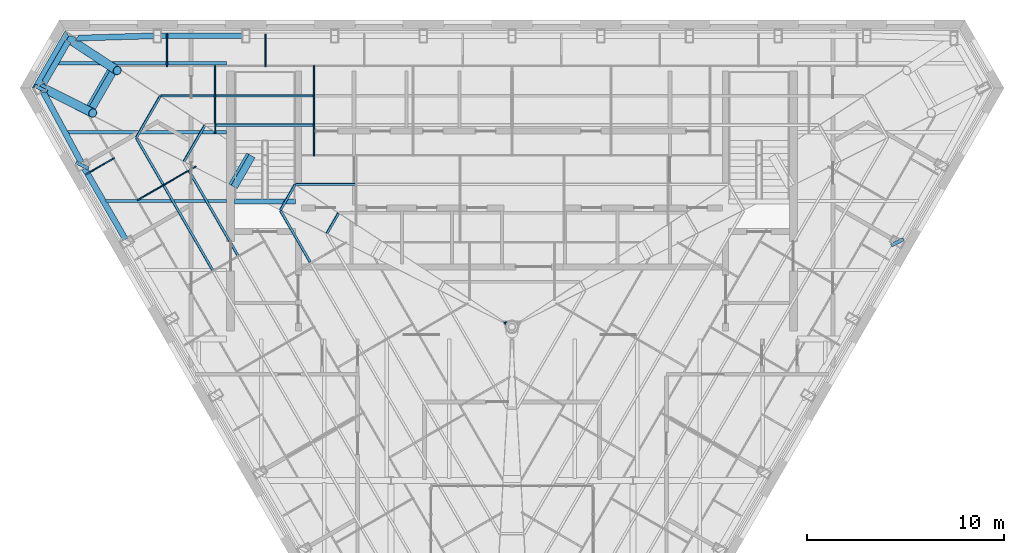
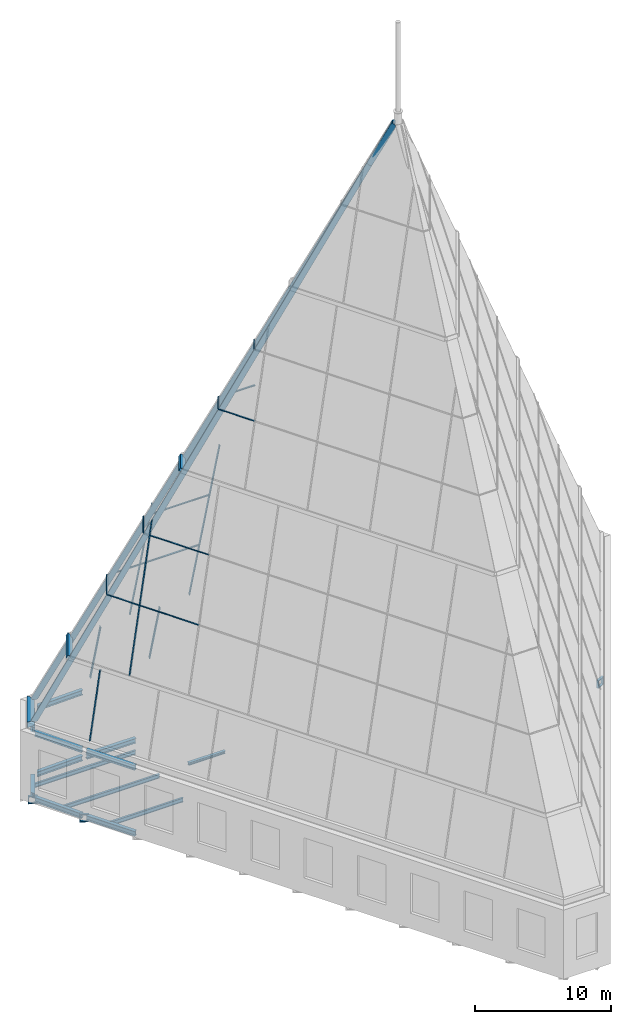
# One storey, part 21 of 36: 25 members, 16 beams, 8 elements without a shape of their own.
"""IFC4 building model written with IfcOpenShell, lengths in metres."""

from ifc_helpers import new_model, si_unit, direction, frame, origin, origin_2d, place, context, subcontext, project, spatial, rectangle, hollow_rectangle, hollow_circle, i_section, extrude, clip, halfspace, material, layer, layer_set, material_profile, profile_set, type_object, element, aggregate, save


model = new_model("IFC4")

# Units and contexts
model_context = context("Model", 3, precision=1e-05, world=origin(), true_north=direction((0.0, 1.0)))
body_context = subcontext(model_context, "Body", "Model", "MODEL_VIEW")
ifc_project = project(units=[si_unit("LENGTHUNIT", "METRE"), si_unit("AREAUNIT", "SQUARE_METRE"), si_unit("VOLUMEUNIT", "CUBIC_METRE"), si_unit("PLANEANGLEUNIT", "RADIAN"), si_unit("MASSUNIT", "GRAM", prefix="KILO")], contexts=[model_context])

# Site, building, storey
site_placement = place(None, origin())
site = spatial("IfcSite", under=ifc_project, at=site_placement, CompositionType="ELEMENT")
building_placement = place(site_placement, origin())
building = spatial("IfcBuilding", under=site, at=building_placement, Name="Njiva Tower", CompositionType="ELEMENT")
storey_placement = place(building_placement, frame((0.0, 0.0, 337.8)))
storey = spatial("IfcBuildingStorey", under=building, at=storey_placement, Name="L77", CompositionType="ELEMENT", Elevation=337.8)

# Beams
ifc_material_1 = material(Name="Steel S355 J2", Category="steel")
ifc_material_profile_1 = material_profile(ifc_material_1, hollow_rectangle(XDim=0.7, YDim=0.7, WallThickness=0.08, at=origin_2d()), Name="BOX 700x700x80")
ifc_profile_set_1 = profile_set([ifc_material_profile_1], Name="Steel S355 J2")
beam_type_1 = type_object("IfcBeamType", Name="B19 Column jog beam BOX 700x700x80", PredefinedType="BEAM", material=ifc_profile_set_1)
beam_1_placement = place(storey_placement, frame((-23.974, 16.63, -0.55), z_axis=(0.433646281728, 0.90108318281, 0.0), x_axis=(-0.90108318281, 0.433646281728, 0.0)))
element("IfcBeam", 1, at=beam_1_placement, inside=storey, type_object=beam_type_1, Name="Column jog beam CR-B013", PredefinedType="BEAM", context=body_context, shape_type="SweptSolid", body=[
    extrude(hollow_rectangle(XDim=0.7, YDim=0.7, WallThickness=0.08, at=origin_2d()), origin(), (0.0, 0.0, 1.0), 0.1776),
])
for number, where, z_axis, x_axis, name in (
    (2, (-21.875, 12.728, -0.55), (0.454010794093, 0.890996183408, 0.0), (-0.890996183408, 0.454010794093, 0.0), "Column jog beam CR-B014"),
    (3, (19.623, 8.825, -0.55), (-0.465278652081, 0.885164264935, 0.0), (-0.885164264935, -0.465278652081, 0.0), "Column jog beam CR-B032"),
):
    element("IfcBeam", number, at=place(storey_placement, frame(where, z_axis=z_axis, x_axis=x_axis)), inside=storey, type_object=beam_type_1, Name=name, PredefinedType="BEAM", context=body_context, shape_type="SweptSolid", body=[
        extrude(hollow_rectangle(XDim=0.7, YDim=0.7, WallThickness=0.08, at=origin_2d()), origin(), (0.0, 0.0, 1.0), 0.1762),
    ])
ifc_material_profile_2 = material_profile(ifc_material_1, i_section(OverallWidth=0.3, OverallDepth=0.44, WebThickness=0.0115, FlangeThickness=0.021, at=origin_2d()), Name="HEA 450")
ifc_profile_set_2 = profile_set([ifc_material_profile_2], Name="Steel S355 J2")
beam_type_2 = type_object("IfcBeamType", Name="B57 Short-span spandrel beam HEA 450", PredefinedType="SPANDREL", material=ifc_profile_set_2)
beam_2_placement = place(storey_placement, frame((-13.695, 19.4, -0.42), z_axis=(-1.0, 0.0, 0.0), x_axis=(0.0, -1.0, 0.0)))
element("IfcBeam", 4, at=beam_2_placement, inside=storey, type_object=beam_type_2, Name="Short-span spandrel beam CR-B092", PredefinedType="SPANDREL", context=body_context, shape_type="SweptSolid", body=[
    extrude(i_section(OverallWidth=0.3, OverallDepth=0.44, WebThickness=0.0115, FlangeThickness=0.021, at=origin_2d()), origin(), (0.0, 0.0, 1.0), 4.156),
])
beam_3_placement = place(storey_placement, frame((-18.205, 19.395, -0.42), z_axis=(-0.999549842252, -0.030001880847, 0.0), x_axis=(0.030001880847, -0.999549842252, 0.0)))
element("IfcBeam", 5, at=beam_3_placement, inside=storey, type_object=beam_type_2, Name="Short-span spandrel beam CR-B089", PredefinedType="SPANDREL", context=body_context, shape_type="Clipping", body=[
    clip(extrude(i_section(OverallWidth=0.3, OverallDepth=0.44, WebThickness=0.0115, FlangeThickness=0.021, at=origin_2d()), origin(), (0.0, 0.0, 1.0), 4.0128), halfspace(frame((-0.0259, 0.0, 3.884), z_axis=(-0.525755357257, 0.0, 0.850635823555), x_axis=(0.0, 1.0, 0.0)), False)),
])
beam_4_placement = place(storey_placement, frame((-22.547, 19.118, -0.42), z_axis=(-0.500074377092, -0.865982457891, 0.0), x_axis=(0.865982457891, -0.500074377092, 0.0)))
element("IfcBeam", 6, at=beam_4_placement, inside=storey, type_object=beam_type_2, Name="Short-span spandrel beam CR-B088", PredefinedType="SPANDREL", context=body_context, shape_type="Clipping", body=[
    clip(extrude(i_section(OverallWidth=0.3, OverallDepth=0.44, WebThickness=0.0115, FlangeThickness=0.021, at=origin_2d()), origin(), (0.0, 0.0, 1.0), 2.5666), halfspace(frame((-0.025, 0.0, 2.4453), z_axis=(-0.499927609529, 0.0, 0.866067194409), x_axis=(0.0, 1.0, 0.0)), False)),
])
beam_5_placement = place(storey_placement, frame((-23.823, 16.55, -0.42), z_axis=(0.473909553759, -0.880573526093, 0.0), x_axis=(0.880573526093, 0.473909553759, 0.0)))
element("IfcBeam", 7, at=beam_5_placement, inside=storey, type_object=beam_type_2, Name="Short-span spandrel beam CR-B087", PredefinedType="SPANDREL", context=body_context, shape_type="SweptSolid", body=[
    extrude(i_section(OverallWidth=0.3, OverallDepth=0.44, WebThickness=0.0115, FlangeThickness=0.021, at=origin_2d()), origin(), (0.0, 0.0, 1.0), 4.0746),
])
beam_6_placement = place(storey_placement, frame((-21.719, 12.653, -0.42), z_axis=(0.500021003115, -0.866013277291, 0.0), x_axis=(0.866013277291, 0.500021003115, 0.0)))
element("IfcBeam", 8, at=beam_6_placement, inside=storey, type_object=beam_type_2, Name="Short-span spandrel beam CR-B090", PredefinedType="SPANDREL", context=body_context, shape_type="SweptSolid", body=[
    extrude(i_section(OverallWidth=0.3, OverallDepth=0.44, WebThickness=0.0115, FlangeThickness=0.021, at=origin_2d()), origin(), (0.0, 0.0, 1.0), 4.1558),
])
ifc_material_profile_3 = material_profile(ifc_material_1, i_section(OverallWidth=0.17, OverallDepth=0.36, WebThickness=0.008, FlangeThickness=0.0127, at=origin_2d()), Name="IPE 360")
ifc_profile_set_3 = profile_set([ifc_material_profile_3], Name="Steel S355 J2")
beam_type_3 = type_object("IfcBeamType", Name="B61 Floor beam to the core IPE 360", PredefinedType="BEAM", material=ifc_profile_set_3)
beam_7_placement = place(storey_placement, frame((-20.718, 11.0, -0.38), z_axis=(1.0, 0.0, 0.0), x_axis=(0.0, 1.0, 0.0)))
element("IfcBeam", 9, at=beam_7_placement, inside=storey, type_object=beam_type_3, Name="Floor beam to the core CR-B003", PredefinedType="BEAM", context=body_context, shape_type="Clipping", body=[
    clip(extrude(i_section(OverallWidth=0.17, OverallDepth=0.36, WebThickness=0.008, FlangeThickness=0.0127, at=origin_2d()), origin(), (0.0, 0.0, 1.0), 6.218), halfspace(frame((-0.025, 0.0, 0.0833), z_axis=(-0.499998009787, 0.0, -0.866026552831), x_axis=(0.0, -1.0, 0.0)), False)),
])
beam_8_placement = place(storey_placement, frame((-22.672, 14.5, -0.38), z_axis=(1.0, 0.0, 0.0), x_axis=(0.0, 1.0, 0.0)))
element("IfcBeam", 10, at=beam_8_placement, inside=storey, type_object=beam_type_3, Name="Floor beam to the core CR-B002", PredefinedType="BEAM", context=body_context, shape_type="Clipping", body=[
    clip(extrude(i_section(OverallWidth=0.17, OverallDepth=0.36, WebThickness=0.008, FlangeThickness=0.0127, at=origin_2d()), origin(), (0.0, 0.0, 1.0), 8.172), halfspace(frame((-0.0237, 0.0, 0.0786), z_axis=(-0.473769423091, 0.0, -0.880648927634), x_axis=(0.0, -1.0, 0.0)), False)),
])
beam_9_placement = place(storey_placement, frame((-23.146, 18.0, -0.38), z_axis=(1.0, 0.0, 0.0), x_axis=(0.0, 1.0, 0.0)))
element("IfcBeam", 11, at=beam_9_placement, inside=storey, type_object=beam_type_3, Name="Floor beam to the core CR-B001", PredefinedType="BEAM", context=body_context, shape_type="Clipping", body=[
    clip(extrude(i_section(OverallWidth=0.17, OverallDepth=0.36, WebThickness=0.008, FlangeThickness=0.0127, at=origin_2d()), origin(), (0.0, 0.0, 1.0), 8.646), halfspace(frame((0.025, 0.0, 0.0832), z_axis=(0.499998009787, 0.0, -0.866026552831), x_axis=(0.0, -1.0, 0.0)), False)),
])
ifc_material_profile_4 = material_profile(ifc_material_1, i_section(OverallWidth=0.3, OverallDepth=0.44, WebThickness=0.0115, FlangeThickness=0.021, at=origin_2d()), Name="HEA 450")
ifc_profile_set_4 = profile_set([ifc_material_profile_4], Name="Steel S355 J2")
beam_type_4 = type_object("IfcBeamType", Name="B64 Roof edge beam HEA 450", PredefinedType="SPANDREL", material=ifc_profile_set_4)
beam_10_placement = place(storey_placement, frame((-18.205, 19.395, 5.48), z_axis=(-0.999549842252, -0.030001880847, 0.0), x_axis=(0.030001880847, -0.999549842252, 0.0)))
element("IfcBeam", 12, at=beam_10_placement, inside=storey, type_object=beam_type_4, Name="Roof edge beam CR-B056", PredefinedType="SPANDREL", context=body_context, shape_type="Clipping", body=[
    clip(extrude(i_section(OverallWidth=0.3, OverallDepth=0.44, WebThickness=0.0115, FlangeThickness=0.021, at=origin_2d()), origin(), (0.0, 0.0, 1.0), 4.0128), halfspace(frame((-0.0259, 0.0, 3.884), z_axis=(-0.525755357257, 0.0, 0.850635823555), x_axis=(0.0, 1.0, 0.0)), False)),
])
beam_11_placement = place(storey_placement, frame((-22.547, 19.118, 5.48), z_axis=(-0.500074377092, -0.865982457891, 0.0), x_axis=(0.865982457891, -0.500074377092, 0.0)))
element("IfcBeam", 13, at=beam_11_placement, inside=storey, type_object=beam_type_4, Name="Roof edge beam CR-B055", PredefinedType="SPANDREL", context=body_context, shape_type="Clipping", body=[
    clip(extrude(i_section(OverallWidth=0.3, OverallDepth=0.44, WebThickness=0.0115, FlangeThickness=0.021, at=origin_2d()), origin(), (0.0, 0.0, 1.0), 2.5666), halfspace(frame((-0.025, 0.0, 2.4453), z_axis=(-0.499927609529, 0.0, 0.866067194409), x_axis=(0.0, 1.0, 0.0)), False)),
])
beam_12_placement = place(storey_placement, frame((-23.823, 16.55, 5.48), z_axis=(0.473909553759, -0.880573526093, 0.0), x_axis=(0.880573526093, 0.473909553759, 0.0)))
element("IfcBeam", 14, at=beam_12_placement, inside=storey, type_object=beam_type_4, Name="Roof edge beam CR-B054", PredefinedType="SPANDREL", context=body_context, shape_type="SweptSolid", body=[
    extrude(i_section(OverallWidth=0.3, OverallDepth=0.44, WebThickness=0.0115, FlangeThickness=0.021, at=origin_2d()), origin(), (0.0, 0.0, 1.0), 4.0746),
])
beam_13_placement = place(storey_placement, frame((-21.719, 12.653, 5.48), z_axis=(0.500021003115, -0.866013277291, 0.0), x_axis=(0.866013277291, 0.500021003115, 0.0)))
element("IfcBeam", 15, at=beam_13_placement, inside=storey, type_object=beam_type_4, Name="Roof edge beam CR-B057", PredefinedType="SPANDREL", context=body_context, shape_type="SweptSolid", body=[
    extrude(i_section(OverallWidth=0.3, OverallDepth=0.44, WebThickness=0.0115, FlangeThickness=0.021, at=origin_2d()), origin(), (0.0, 0.0, 1.0), 4.1558),
])

# Members
ifc_material_2 = material(Name="Steel S355 J2H", Category="steel")
ifc_material_profile_5 = material_profile(ifc_material_2, hollow_rectangle(XDim=0.55, YDim=0.5, WallThickness=0.016, at=origin_2d()), Name="BOX 500x550x16")
ifc_profile_set_5 = profile_set([ifc_material_profile_5], Name="Steel S355 J2H")
member_type_1 = type_object("IfcMemberType", Name="CF1 Crown frame base ring RHS 500x550x16", PredefinedType="USERDEFINED", material=ifc_profile_set_5)
member_1_placement = place(storey_placement, frame((-22.2381, 19.9196, 6.25), z_axis=(-0.499995403744, -0.866028057418, 0.0), x_axis=(0.866028057418, -0.499995403744, 0.0)))
element("IfcMember", 16, at=member_1_placement, inside=storey, type_object=member_type_1, Name="Crown frame base ring", ObjectType="CROWN FRAME", PredefinedType="USERDEFINED", context=body_context, shape_type="Clipping", body=[
    clip(clip(extrude(hollow_rectangle(XDim=0.55, YDim=0.5, WallThickness=0.016, at=origin_2d()), origin(), (0.0, 0.0, 1.0), 4.2762), halfspace(frame((0.0, 0.0, 0.6), z_axis=(0.500004596335, 0.0, -0.866022750073), x_axis=(0.0, -1.0, 0.0)), False)), halfspace(frame((0.0, 0.0, 3.6762), z_axis=(0.499995403744, 0.0, 0.866028057418), x_axis=(0.0, 1.0, 0.0)), False)),
])
ifc_material_profile_6 = material_profile(ifc_material_2, hollow_circle(Radius=0.2285, WallThickness=0.016, at=origin_2d()), Name="CHS 457x16")
ifc_profile_set_6 = profile_set([ifc_material_profile_6], Name="Steel S355 J2H")
member_type_2 = type_object("IfcMemberType", Name="CF2 Crown frame hip CHS 457x16", PredefinedType="USERDEFINED", material=ifc_profile_set_6)
member_2_placement = place(storey_placement, frame((-22.4161, 19.1775, 6.3871), z_axis=(0.376211577227, -0.246847484375, 0.89304600588), x_axis=(0.548592186311, 0.836090074764, 0.0)))
element("IfcMember", 17, at=member_2_placement, inside=storey, type_object=member_type_2, Name="Crown frame hip", ObjectType="CROWN FRAME", PredefinedType="USERDEFINED", context=body_context, shape_type="Clipping", body=[
    clip(extrude(hollow_circle(Radius=0.2285, WallThickness=0.016, at=origin_2d()), origin(), (0.0, 0.0, 1.0), 6.2707), halfspace(frame((0.0, 0.0508, 0.1008), z_axis=(0.0, -0.44996536687, -0.89304600588), x_axis=(0.0, -0.89304600588, 0.44996536687)), False)),
])
member_3_placement = place(storey_placement, frame((-23.8226, 16.7415, 6.3871), z_axis=(0.401899144391, -0.202384812375, 0.8930383337), x_axis=(0.44976342378, 0.893147727215, 0.0)))
element("IfcMember", 18, at=member_3_placement, inside=storey, type_object=member_type_2, Name="Crown frame hip", ObjectType="CROWN FRAME", PredefinedType="USERDEFINED", context=body_context, shape_type="Clipping", body=[
    clip(extrude(hollow_circle(Radius=0.2285, WallThickness=0.016, at=origin_2d()), origin(), (0.0, 0.0, 1.0), 6.2707), halfspace(frame((0.0, 0.0508, 0.1008), z_axis=(0.0, -0.449980593517, -0.8930383337), x_axis=(0.0, -0.8930383337, 0.449980593517)), False)),
])
ifc_material_profile_7 = material_profile(ifc_material_2, hollow_rectangle(XDim=0.3, YDim=0.4, WallThickness=0.016, at=origin_2d()), Name="BOX 400x300x16")
ifc_profile_set_7 = profile_set([ifc_material_profile_7], Name="Steel S355 J2H")
member_type_3 = type_object("IfcMemberType", Name="CF3 Crown frame ring RHS 400x300x16", PredefinedType="USERDEFINED", material=ifc_profile_set_7)
member_4_placement = place(storey_placement, frame((-19.879, 18.3716, 12.1), z_axis=(-0.500001126807, -0.866024753221, 0.0), x_axis=(0.389180420882, -0.224694095923, 0.893337093856)))
element("IfcMember", 19, at=member_4_placement, inside=storey, type_object=member_type_3, Name="Crown frame ring", ObjectType="CROWN FRAME", PredefinedType="USERDEFINED", context=body_context, shape_type="Clipping", body=[
    clip(clip(extrude(hollow_rectangle(XDim=0.3, YDim=0.4, WallThickness=0.016, at=origin_2d()), origin(), (0.0, 0.0, 1.0), 3.9542), halfspace(frame((0.0, 0.0, 0.6), z_axis=(0.022603983083, -0.474207201698, -0.880123053786), x_axis=(0.0, -0.880347985044, 0.474328393867)), False)), halfspace(frame((0.0, 0.0, 3.3542), z_axis=(0.022605012754, -0.474209248397, 0.880121924584), x_axis=(0.0, 0.880346876054, 0.474330452135)), False)),
])

# Curtain wall, member
ifc_material_3 = material(Name="Glazed curtain wall", Category="glass")
ifc_layer_1 = layer(ifc_material_3, 0.16)
ifc_layer_set_1 = layer_set([ifc_layer_1], Name="Glazed curtain wall")
curtain_wall_type_1 = type_object("IfcCurtainWallType", Name="CW2 Crown glazing, faceted point, long faces", PredefinedType="NOTDEFINED", material=ifc_layer_set_1)
curtain_wall_1_placement = place(storey_placement, origin())
curtain_wall_1 = element("IfcCurtainWall", 20, at=curtain_wall_1_placement, inside=storey, type_object=curtain_wall_type_1, Name="Crown glazing face N tier 2", PredefinedType="NOTDEFINED")
ifc_material_profile_8 = material_profile(ifc_material_2, hollow_circle(Radius=0.2285, WallThickness=0.016, at=origin_2d()), Name="CHS 457x16")
ifc_profile_set_8 = profile_set([ifc_material_profile_8], Name="Steel S355 J2H")
member_type_4 = type_object("IfcMemberType", Name="CW2-H Crown glazing hip CHS 457x16", PredefinedType="USERDEFINED", material=ifc_profile_set_8)
member_5_placement = place(storey_placement, frame((-20.057, 17.6296, 11.9871), z_axis=(0.376216218527, -0.246853967046, 0.893042258726), x_axis=(0.548597526295, 0.836086570962, 0.0)))
member_5 = element("IfcMember", 21, at=member_5_placement, type_object=member_type_4, Name="Crown glazing hip", ObjectType="HIP", PredefinedType="USERDEFINED", context=body_context, shape_type="Clipping", body=[
    clip(extrude(hollow_circle(Radius=0.2285, WallThickness=0.016, at=origin_2d()), origin(), (0.0, 0.0, 1.0), 52.6514), halfspace(frame((-0.0236, 0.0388, 52.6319), z_axis=(0.476988951925, -0.784903137401, 0.395485277399), x_axis=(0.0, 0.449972803766, 0.893042258726)), False)),
])

curtain_wall_2_placement = place(storey_placement, origin())
curtain_wall_2 = element("IfcCurtainWall", 22, at=curtain_wall_2_placement, inside=storey, type_object=curtain_wall_type_1, Name="Crown glazing face SW tier 2", PredefinedType="NOTDEFINED")
member_6_placement = place(storey_placement, frame((-21.3024, 15.4724, 11.9871), z_axis=(0.401889019948, -0.202386068415, 0.893042605342), x_axis=(0.449774688888, 0.893142054343, 0.0)))
member_6 = element("IfcMember", 23, at=member_6_placement, type_object=member_type_4, Name="Crown glazing hip", ObjectType="HIP", PredefinedType="USERDEFINED", context=body_context, shape_type="Clipping", body=[
    clip(extrude(hollow_circle(Radius=0.2285, WallThickness=0.016, at=origin_2d()), origin(), (0.0, 0.0, 1.0), 52.6514), halfspace(frame((0.0236, 0.0388, 52.6318), z_axis=(-0.476987730219, -0.784904034155, 0.395484971127), x_axis=(0.0, 0.449972115851, 0.893042605342)), False)),
])

# Curtain wall, members
curtain_wall_3_placement = place(storey_placement, origin())
curtain_wall_3 = element("IfcCurtainWall", 24, at=curtain_wall_3_placement, inside=storey, type_object=curtain_wall_type_1, Name="Crown glazing face N tier 1", PredefinedType="NOTDEFINED")
ifc_material_4 = material(Name="Aluminium mullion", Category="aluminium")
ifc_material_profile_9 = material_profile(ifc_material_4, rectangle(XDim=0.16, YDim=0.06, at=origin_2d()), Name="RECT 160x60")
ifc_profile_set_9 = profile_set([ifc_material_profile_9], Name="Aluminium mullion")
member_type_5 = type_object("IfcMemberType", Name="CW2-M Crown glazing mullion 160x60", PredefinedType="MULLION", material=ifc_profile_set_9)
member_7_placement = place(storey_placement, frame((-12.5212, 19.4, 6.5), z_axis=(0.0, -0.266431706022, 0.963853799093), x_axis=(0.0, 0.963853799093, 0.266431706022)))
member_7 = element("IfcMember", 25, at=member_7_placement, type_object=member_type_5, Name="CW2-11 mullion 7", PredefinedType="MULLION", context=body_context, shape_type="Clipping", body=[
    clip(clip(extrude(rectangle(XDim=0.16, YDim=0.06, at=origin_2d()), origin(), (0.0, 0.0, 1.0), 5.66), halfspace(frame((0.08, 0.0, 0.0), z_axis=(-3.342924e-06, 0.0, -0.999999999994), x_axis=(0.0, -1.0, 0.0)), False)), halfspace(frame((0.08, 0.0, 5.66), z_axis=(3.342924e-06, 0.0, 0.999999999994), x_axis=(0.0, 1.0, 0.0)), False)),
])
member_8_placement = place(storey_placement, frame((-17.5296, 19.4, 6.5), z_axis=(0.0, -0.266431706022, 0.963853799093), x_axis=(0.0, 0.963853799093, 0.266431706022)))
member_8 = element("IfcMember", 26, at=member_8_placement, type_object=member_type_5, Name="CW2-11 mullion 8", PredefinedType="MULLION", context=body_context, shape_type="Clipping", body=[
    clip(clip(extrude(rectangle(XDim=0.16, YDim=0.06, at=origin_2d()), origin(), (0.0, 0.0, 1.0), 5.66), halfspace(frame((0.08, 0.0, 0.0), z_axis=(-3.342924e-06, 0.0, -0.999999999994), x_axis=(0.0, -1.0, 0.0)), False)), halfspace(frame((0.08, 0.0, 5.66), z_axis=(3.342924e-06, 0.0, 0.999999999994), x_axis=(0.0, 1.0, 0.0)), False)),
])
aggregate(curtain_wall_3, [member_7, member_8])

# Member
member_9_placement = place(storey_placement, frame((-10.059, 17.8121, 12.2446), z_axis=(0.0, -0.26643162411, 0.963853821735), x_axis=(0.0, 0.963853821735, 0.26643162411)))
member_9 = element("IfcMember", 27, at=member_9_placement, type_object=member_type_5, Name="CW2-12 mullion 6", PredefinedType="MULLION", context=body_context, shape_type="Clipping", body=[
    clip(clip(extrude(rectangle(XDim=0.16, YDim=0.06, at=origin_2d()), origin(), (0.0, 0.0, 1.0), 16.715), halfspace(frame((0.08, 0.0, 0.0), z_axis=(-3.25794e-06, 0.0, -0.999999999995), x_axis=(0.0, -1.0, 0.0)), False)), halfspace(frame((0.08, 0.0, 16.715), z_axis=(3.25794e-06, 0.0, 0.999999999995), x_axis=(0.0, 1.0, 0.0)), False)),
])

member_10_placement = place(storey_placement, frame((-15.0886, 17.8121, 12.2446), z_axis=(0.0, -0.26643446501, 0.96385303644), x_axis=(0.0, 0.96385303644, 0.26643446501)))
member_10 = element("IfcMember", 28, at=member_10_placement, type_object=member_type_5, Name="CW2-12 mullion 7", PredefinedType="MULLION", context=body_context, shape_type="Clipping", body=[
    clip(clip(extrude(rectangle(XDim=0.16, YDim=0.06, at=origin_2d()), origin(), (0.0, 0.0, 1.0), 12.3865), halfspace(frame((0.08, 0.0, 0.0), z_axis=(-6.20538e-06, 0.0, -0.999999999981), x_axis=(0.0, -1.0, 0.0)), False)), halfspace(frame((0.0801, 0.0, 12.3866), z_axis=(2.334694e-06, 0.926532402811, 0.376214973833), x_axis=(0.0, 0.376214973834, -0.926532402813)), False)),
])

# Curtain wall, member
curtain_wall_4_placement = place(storey_placement, origin())
curtain_wall_4 = element("IfcCurtainWall", 29, at=curtain_wall_4_placement, inside=storey, type_object=curtain_wall_type_1, Name="Crown glazing face SW tier 1", PredefinedType="NOTDEFINED")
member_11_placement = place(storey_placement, frame((-21.572, 12.3984, 6.5), z_axis=(0.230742261373, 0.133215670042, 0.963852475264), x_axis=(-0.834726112418, -0.481916913295, 0.266436495113)))
member_11 = element("IfcMember", 30, at=member_11_placement, type_object=member_type_5, Name="CW2-31 mullion 1", PredefinedType="MULLION", context=body_context, shape_type="Clipping", body=[
    clip(clip(extrude(rectangle(XDim=0.16, YDim=0.06, at=origin_2d()), origin(), (0.0, 0.0, 1.0), 5.66), halfspace(frame((0.08, 0.0, 0.0), z_axis=(-8.311998e-06, 2.976376e-06, -0.999999999961), x_axis=(0.0, -0.999999999996, -2.976376e-06)), False)), halfspace(frame((0.08, 0.0, 5.66), z_axis=(8.311998e-06, -2.976376e-06, 0.999999999961), x_axis=(0.0, 0.999999999996, 2.976376e-06)), False)),
])
aggregate(curtain_wall_4, [member_11])

# Member
member_12_placement = place(storey_placement, frame((-18.9763, 11.0783, 12.2446), z_axis=(0.230734655493, 0.133217374048, 0.963854060533), x_axis=(-0.834717937281, -0.481934243634, 0.266430760225)))
member_12 = element("IfcMember", 31, at=member_12_placement, type_object=member_type_5, Name="CW2-32 mullion 1", PredefinedType="MULLION", context=body_context, shape_type="Clipping", body=[
    clip(clip(extrude(rectangle(XDim=0.16, YDim=0.06, at=origin_2d()), origin(), (0.0, 0.0, 1.0), 12.3865), halfspace(frame((0.08, 0.0, 0.0), z_axis=(-2.362031e-06, -2.302167e-06, -0.999999999995), x_axis=(0.0, -0.999999999997, 2.302167e-06)), False)), halfspace(frame((0.08, 0.0, 12.3866), z_axis=(-6.829402e-06, -0.926531536476, 0.376217107359), x_axis=(0.0, 0.376217107367, 0.926531536497)), False)),
])

ifc_material_5 = material(Name="Aluminium transom", Category="aluminium")
ifc_material_profile_10 = material_profile(ifc_material_5, rectangle(XDim=0.12, YDim=0.06, at=origin_2d()), Name="RECT 120x60")
ifc_profile_set_10 = profile_set([ifc_material_profile_10], Name="Aluminium transom")
member_type_6 = type_object("IfcMemberType", Name="CW2-T Crown glazing transom 120x60", PredefinedType="USERDEFINED", material=ifc_profile_set_10)
member_13_placement = place(storey_placement, frame((-10.089, 16.3469, 17.6202), z_axis=(-1.0, 0.0, 0.0), x_axis=(0.0, 0.963854689739, 0.266428483965)))
member_13 = element("IfcMember", 32, at=member_13_placement, type_object=member_type_6, Name="CW2-12 transom 7.1", ObjectType="TRANSOM", PredefinedType="USERDEFINED", context=body_context, shape_type="SweptSolid", body=[
    extrude(rectangle(XDim=0.12, YDim=0.06, at=origin_2d()), origin(), (0.0, 0.0, 1.0), 4.9696),
])

member_14_placement = place(storey_placement, frame((-15.1186, 16.3469, 17.6202), z_axis=(-1.0, 0.0, 0.0), x_axis=(0.0, 0.963854689739, 0.266428483965)))
member_14 = element("IfcMember", 33, at=member_14_placement, type_object=member_type_6, Name="CW2-12 transom 8.1", ObjectType="TRANSOM", PredefinedType="USERDEFINED", context=body_context, shape_type="Clipping", body=[
    clip(extrude(rectangle(XDim=0.12, YDim=0.06, at=origin_2d()), origin(), (0.0, 0.0, 1.0), 2.7371), halfspace(frame((0.06, 0.0, 2.7371), z_axis=(1.51e-10, -0.37621497384, 0.926532402811), x_axis=(0.0, 0.926532402811, 0.37621497384)), False)),
])

member_15_placement = place(storey_placement, frame((-10.089, 14.8625, 22.9905), z_axis=(-1.0, 0.0, 0.0), x_axis=(0.0, 0.963854689739, 0.266428483965)))
member_15 = element("IfcMember", 34, at=member_15_placement, type_object=member_type_6, Name="CW2-12 transom 7.2", ObjectType="TRANSOM", PredefinedType="USERDEFINED", context=body_context, shape_type="SweptSolid", body=[
    extrude(rectangle(XDim=0.12, YDim=0.06, at=origin_2d()), origin(), (0.0, 0.0, 1.0), 4.9696),
])

aggregate(curtain_wall_1, [member_9, member_10, member_13, member_14, member_15, member_5])

# Curtain wall, member
curtain_wall_5_placement = place(storey_placement, origin())
curtain_wall_5 = element("IfcCurtainWall", 35, at=curtain_wall_5_placement, inside=storey, type_object=curtain_wall_type_1, Name="Crown glazing face N tier 3", PredefinedType="NOTDEFINED")
member_16_placement = place(storey_placement, frame((-7.9555, 11.8505, 33.8869), z_axis=(-1.0, 0.0, 0.0), x_axis=(0.0, 0.963854689744, 0.266428483949)))
member_16 = element("IfcMember", 36, at=member_16_placement, type_object=member_type_6, Name="CW2-13 transom 5.1", ObjectType="TRANSOM", PredefinedType="USERDEFINED", context=body_context, shape_type="Clipping", body=[
    clip(extrude(rectangle(XDim=0.12, YDim=0.06, at=origin_2d()), origin(), (0.0, 0.0, 1.0), 3.0475), halfspace(frame((0.06, 0.0, 3.0475), z_axis=(1.45e-10, -0.37621497384, 0.926532402811), x_axis=(0.0, 0.926532402811, 0.37621497384)), False)),
])
aggregate(curtain_wall_5, [member_16])

# Member
member_17_placement = place(storey_placement, frame((-19.091, 14.2074, 17.6202), z_axis=(0.499997585193, -0.866026797969, 0.0), x_axis=(-0.834723990662, -0.481925017347, 0.266428483965)))
member_17 = element("IfcMember", 37, at=member_17_placement, type_object=member_type_6, Name="CW2-32 transom 1.1", ObjectType="TRANSOM", PredefinedType="USERDEFINED", context=body_context, shape_type="Clipping", body=[
    clip(extrude(rectangle(XDim=0.12, YDim=0.06, at=origin_2d()), origin(), (0.0, 0.0, 1.0), 2.7372), halfspace(frame((0.06, 0.0, 0.0), z_axis=(2.489623e-06, -0.376214285785, -0.92653268219), x_axis=(0.0, -0.926532682192, 0.376214285786)), False)),
])

member_18_placement = place(storey_placement, frame((-17.6924, 11.785, 17.6202), z_axis=(0.499999986638, -0.866025411499, 0.0), x_axis=(-0.834722654306, -0.481927331991, 0.266428483965)))
member_18 = element("IfcMember", 38, at=member_18_placement, type_object=member_type_6, Name="CW2-32 transom 2.1", ObjectType="TRANSOM", PredefinedType="USERDEFINED", context=body_context, shape_type="SweptSolid", body=[
    extrude(rectangle(XDim=0.12, YDim=0.06, at=origin_2d()), origin(), (0.0, 0.0, 1.0), 4.9696),
])

member_19_placement = place(storey_placement, frame((-16.4068, 12.5272, 22.9905), z_axis=(0.499993607921, -0.866029094221, 0.0), x_axis=(-0.834726203916, -0.481921183835, 0.266428483965)))
member_19 = element("IfcMember", 39, at=member_19_placement, type_object=member_type_6, Name="CW2-32 transom 2.2", ObjectType="TRANSOM", PredefinedType="USERDEFINED", context=body_context, shape_type="SweptSolid", body=[
    extrude(rectangle(XDim=0.12, YDim=0.06, at=origin_2d()), origin(), (0.0, 0.0, 1.0), 4.9695),
])

aggregate(curtain_wall_2, [member_12, member_17, member_18, member_19, member_6])

# Curtain wall, member
curtain_wall_6_placement = place(storey_placement, origin())
curtain_wall_6 = element("IfcCurtainWall", 40, at=curtain_wall_6_placement, inside=storey, type_object=curtain_wall_type_1, Name="Crown glazing face SW tier 3", PredefinedType="NOTDEFINED")
member_20_placement = place(storey_placement, frame((-11.7706, 10.521, 33.8869), z_axis=(0.499989459123, -0.866031489477, 0.0), x_axis=(-0.834728512598, -0.481917184998, 0.266428483949)))
member_20 = element("IfcMember", 41, at=member_20_placement, type_object=member_type_6, Name="CW2-33 transom 1.1", ObjectType="TRANSOM", PredefinedType="USERDEFINED", context=body_context, shape_type="Clipping", body=[
    clip(extrude(rectangle(XDim=0.12, YDim=0.06, at=origin_2d()), origin(), (0.0, 0.0, 1.0), 3.0475), halfspace(frame((0.06, 0.0001, 0.0), z_axis=(1.0869165e-05, -0.376211969512, -0.926533622638), x_axis=(0.0, -0.926533622692, 0.376211969534)), False)),
])
aggregate(curtain_wall_6, [member_20])

# Curtain wall, members
ifc_layer_2 = layer(ifc_material_3, 0.16)
ifc_layer_set_2 = layer_set([ifc_layer_2], Name="Glazed curtain wall")
curtain_wall_type_2 = type_object("IfcCurtainWallType", Name="CW3 Crown glazing, faceted point, corner faces", PredefinedType="NOTDEFINED", material=ifc_layer_set_2)
curtain_wall_7_placement = place(storey_placement, origin())
curtain_wall_7 = element("IfcCurtainWall", 42, at=curtain_wall_7_placement, inside=storey, type_object=curtain_wall_type_2, Name="Crown glazing face NW tier 2", PredefinedType="NOTDEFINED")
ifc_material_profile_11 = material_profile(ifc_material_2, hollow_rectangle(XDim=0.3, YDim=0.4, WallThickness=0.016, at=origin_2d()), Name="BOX 400x300x16")
ifc_profile_set_11 = profile_set([ifc_material_profile_11], Name="Steel S355 J2H")
member_type_7 = type_object("IfcMemberType", Name="CW3-R Crown corner glazing ring RHS 400x300x16", PredefinedType="USERDEFINED", material=ifc_profile_set_11)
member_21_placement = place(storey_placement, frame((-13.2701, 13.3188, 28.5), z_axis=(-0.499986901684, -0.866032965969, 0.0), x_axis=(0.389184111586, -0.224687703335, 0.893337093856)))
member_21 = element("IfcMember", 43, at=member_21_placement, type_object=member_type_7, Name="Crown glazing ring", ObjectType="RING", PredefinedType="USERDEFINED", context=body_context, shape_type="SweptSolid", body=[
    extrude(hollow_rectangle(XDim=0.3, YDim=0.4, WallThickness=0.016, at=origin_2d()), origin(), (0.0, 0.0, 1.0), 1.8112),
])
ifc_material_profile_12 = material_profile(ifc_material_5, rectangle(XDim=0.12, YDim=0.06, at=origin_2d()), Name="RECT 120x60")
ifc_profile_set_12 = profile_set([ifc_material_profile_12], Name="Aluminium transom")
member_type_8 = type_object("IfcMemberType", Name="CW3-T Crown corner glazing transom 120x60", PredefinedType="USERDEFINED", material=ifc_profile_set_12)
member_22_placement = place(storey_placement, frame((-17.8727, 16.3375, 17.6203), z_axis=(-0.500008939514, -0.866020242492, 0.0), x_axis=(-0.773648006649, 0.446676532927, 0.449387179101)))
member_22 = element("IfcMember", 44, at=member_22_placement, type_object=member_type_8, Name="CW3-22 transom 1.1", ObjectType="TRANSOM", PredefinedType="USERDEFINED", context=body_context, shape_type="Clipping", body=[
    clip(clip(extrude(rectangle(XDim=0.12, YDim=0.06, at=origin_2d()), origin(), (0.0, 0.0, 1.0), 2.4374), halfspace(frame((0.06, 0.0, 0.0), z_axis=(9.218092e-06, -0.025670249974, -0.999670464794), x_axis=(0.0, -0.999670464836, 0.025670249975)), False)), halfspace(frame((0.06, 0.0, 2.4373), z_axis=(-9.217821e-06, -0.02567952516, 0.999670226576), x_axis=(0.0, 0.999670226619, 0.025679525161)), False)),
])
member_23_placement = place(storey_placement, frame((-15.6074, 14.8511, 22.9977), z_axis=(-0.499980071345, -0.866036909293, 0.0), x_axis=(-0.77366289572, 0.446650743921, 0.449387179101)))
member_23 = element("IfcMember", 45, at=member_23_placement, type_object=member_type_8, Name="CW3-22 transom 1.2", ObjectType="TRANSOM", PredefinedType="USERDEFINED", context=body_context, shape_type="Clipping", body=[
    clip(clip(extrude(rectangle(XDim=0.12, YDim=0.06, at=origin_2d()), origin(), (0.0, 0.0, 1.0), 2.1281), halfspace(frame((0.06, 0.0, -0.0001), z_axis=(-2.055056e-05, -0.025685224893, -0.999670079976), x_axis=(0.0, -0.999670080187, 0.025685224898)), False)), halfspace(frame((0.06, 0.0001, 2.1281), z_axis=(2.0550834e-05, -0.025664550239, 0.999670610971), x_axis=(0.0, 0.999670611182, 0.025664550244)), False)),
])
aggregate(curtain_wall_7, [member_22, member_23, member_21])

curtain_wall_8_placement = place(storey_placement, origin())
curtain_wall_8 = element("IfcCurtainWall", 46, at=curtain_wall_8_placement, inside=storey, type_object=curtain_wall_type_2, Name="Crown glazing face NW tier 3", PredefinedType="NOTDEFINED")
member_24_placement = place(storey_placement, frame((-11.02, 11.8411, 33.887), z_axis=(-0.499991396514, -0.866030370952, 0.0), x_axis=(-0.773657054771, 0.446660861111, 0.449387179117)))
member_24 = element("IfcMember", 47, at=member_24_placement, type_object=member_type_8, Name="CW3-23 transom 1.1", ObjectType="TRANSOM", PredefinedType="USERDEFINED", context=body_context, shape_type="Clipping", body=[
    clip(clip(extrude(rectangle(XDim=0.12, YDim=0.06, at=origin_2d()), origin(), (0.0, 0.0, 1.0), 1.502), halfspace(frame((0.06, 0.0, 0.0), z_axis=(-8.872195e-06, -0.025679350171, -0.999670231074), x_axis=(0.0, -0.999670231114, 0.025679350172)), False)), halfspace(frame((0.06, 0.0, 1.502), z_axis=(8.872466e-06, -0.025670424963, 0.999670460304), x_axis=(0.0, 0.999670460343, 0.025670424964)), False)),
])
member_25_placement = place(storey_placement, frame((-8.8108, 10.3916, 39.131), z_axis=(-0.500018069712, -0.86601497098, 0.0), x_axis=(-0.773643297404, 0.446684689268, 0.449387179117)))
member_25 = element("IfcMember", 48, at=member_25_placement, type_object=member_type_8, Name="CW3-23 transom 1.2", ObjectType="TRANSOM", PredefinedType="USERDEFINED", context=body_context, shape_type="Clipping", body=[
    clip(clip(extrude(rectangle(XDim=0.12, YDim=0.06, at=origin_2d()), origin(), (0.0, 0.0, 1.0), 1.2006), halfspace(frame((0.06, 0.0, 0.0), z_axis=(1.8633209e-05, -0.025665513763, -0.999670586271), x_axis=(0.0, -0.999670586445, 0.025665513768)), False)), halfspace(frame((0.06, 0.0, 1.2005), z_axis=(-1.8632935e-05, -0.025684261369, 0.99967010477), x_axis=(0.0, 0.999670104943, 0.025684261373)), False)),
])
aggregate(curtain_wall_8, [member_24, member_25])

# Beam
ifc_material_profile_13 = material_profile(ifc_material_1, i_section(OverallWidth=0.24, OverallDepth=0.23, WebThickness=0.0075, FlangeThickness=0.012, at=origin_2d()), Name="HEA240")
ifc_profile_set_13 = profile_set([ifc_material_profile_13], Name="Steel S355 J2")
beam_type_5 = type_object("IfcBeamType", Name="FL8 Landing beam HEA 240", PredefinedType="BEAM", material=ifc_profile_set_13)
beam_14_placement = place(storey_placement, frame((-14.106, 10.98, 2.685), z_axis=(1.0, 0.0, 0.0), x_axis=(0.0, 1.0, 0.0)))
element("IfcBeam", 49, at=beam_14_placement, inside=storey, type_object=beam_type_5, Name="Landing beam", PredefinedType="BEAM", context=body_context, shape_type="SweptSolid", body=[
    extrude(i_section(OverallWidth=0.24, OverallDepth=0.23, WebThickness=0.0075, FlangeThickness=0.012, at=origin_2d()), origin(), (0.0, 0.0, 1.0), 3.112),
])

save(model, "model.ifc")
